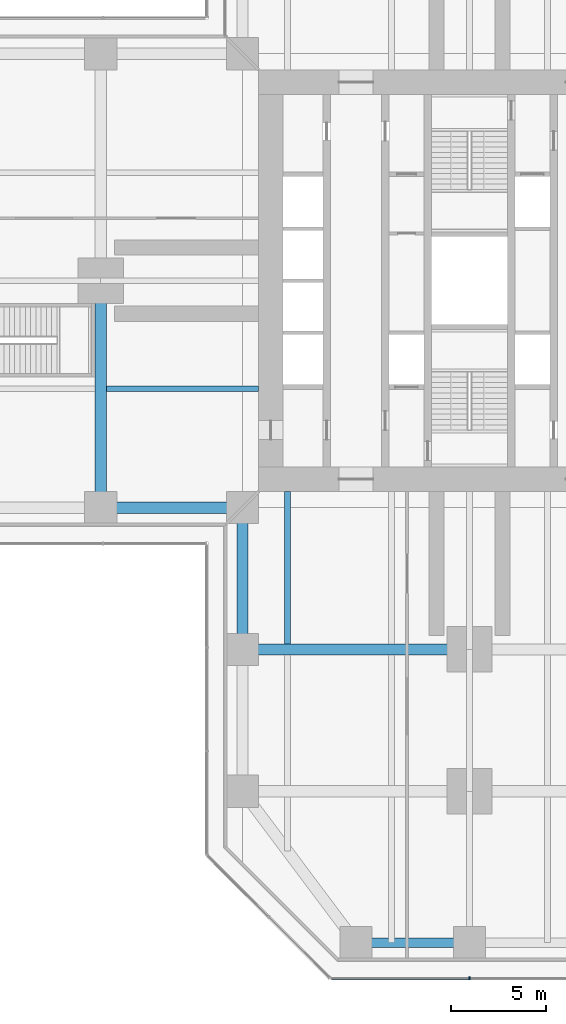
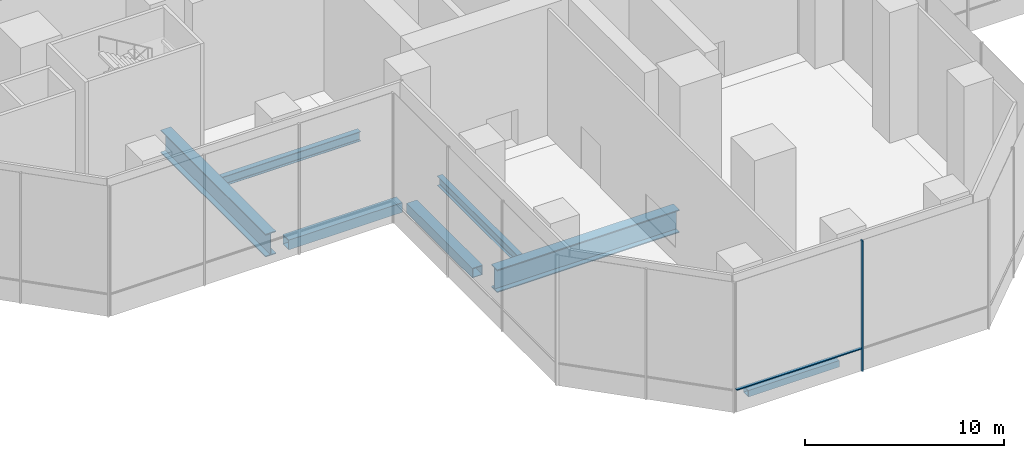
# One storey, part 4 of 25: 7 beams, 2 members, 1 element without a shape of its own.
"""IFC4 building model written with IfcOpenShell, lengths in metres."""

import ifcopenshell
import ifcopenshell.guid

model = None  # the IFC model being written
_history = None  # IfcOwnerHistory: only IFC2X3 demands one
_inside = {}  # id of a spatial element -> (the spatial element, [elements in it])
_under = {}  # id of a project, library or spatial element -> (it, [spatial elements below it])
_declared = {}  # id of a project -> (the project, [libraries it declares])
_typed = {}  # id of a type object -> (the type object, [elements of that type])
_made_of = {}  # id of a material, layer set ... -> (it, [elements and type objects made of it])


def new_model(schema):
    """Start an empty IFC model of exactly this schema.

    Asked for "IFC4X3", IfcOpenShell would pick the latest addendum, in which some entities
    have other attributes; the version numbers below select the first issue.
    IFC2X3 requires an IfcOwnerHistory on every rooted entity: one is made here for all.
    """
    global model, _history
    if schema == "IFC4X3":
        model = ifcopenshell.file(schema_version=(4, 3, 0, 0))
    else:
        model = ifcopenshell.file(schema=schema)
    _inside.clear()
    _under.clear()
    _declared.clear()
    _typed.clear()
    _made_of.clear()
    _history = None
    if model.schema == "IFC2X3":
        org = make("IfcOrganization", Name="unknown")
        user = make(
            "IfcPersonAndOrganization",
            ThePerson=make("IfcPerson", FamilyName="unknown"),
            TheOrganization=org,
        )
        app = make(
            "IfcApplication",
            ApplicationDeveloper=org,
            Version="unknown",
            ApplicationFullName="unknown",
            ApplicationIdentifier="unknown",
        )
        _history = make(
            "IfcOwnerHistory",
            OwningUser=user,
            OwningApplication=app,
            ChangeAction="ADDED",
            CreationDate=0,
        )
    return model


def make(cls, **values):
    """One entity of the class cls with the attributes given. An attribute that is None is left unset."""
    return model.create_entity(
        cls, **{name: value for name, value in values.items() if value is not None}
    )


def rooted(cls, **values):
    """An entity with a GlobalId (a new one), such as an element, a storey or a relation."""
    return make(cls, GlobalId=ifcopenshell.guid.new(), OwnerHistory=_history, **values)


def si_unit(unit_type, name, prefix=None):
    """IfcSIUnit, for example si_unit("LENGTHUNIT", "METRE", prefix="MILLI")."""
    return make("IfcSIUnit", UnitType=unit_type, Prefix=prefix, Name=name)


def assignment(units):
    """IfcUnitAssignment: the units of a project."""
    return None if units is None else make("IfcUnitAssignment", Units=units)


def point(xyz):
    """IfcCartesianPoint."""
    return None if xyz is None else make("IfcCartesianPoint", Coordinates=xyz)


def direction(xyz):
    """IfcDirection."""
    return None if xyz is None else make("IfcDirection", DirectionRatios=xyz)


def frame(location, z_axis=None, x_axis=None):
    """IfcAxis2Placement3D, a coordinate frame: its origin and axes. An axis left out is left unset."""
    return make(
        "IfcAxis2Placement3D",
        Location=point(location),
        Axis=direction(z_axis),
        RefDirection=direction(x_axis),
    )


def frame_2d(location, x_axis=None):
    """IfcAxis2Placement2D, a coordinate frame in the plane: its origin and x axis."""
    return make(
        "IfcAxis2Placement2D", Location=point(location), RefDirection=direction(x_axis)
    )


def origin():
    """The frame at (0, 0, 0) with its axes left unset."""
    return frame((0.0, 0.0, 0.0))


def origin_2d():
    """The frame at (0, 0) in the plane with its x axis left unset."""
    return frame_2d((0.0, 0.0))


def place(relative_to, where):
    """IfcLocalPlacement: puts the frame where relative to a parent placement (None: the world)."""
    return make(
        "IfcLocalPlacement", PlacementRelTo=relative_to, RelativePlacement=where
    )


def context(
    kind, dimensions, precision=None, world=None, true_north=None, identifier=None
):
    """IfcGeometricRepresentationContext, for example the 3D "Model" context."""
    return make(
        "IfcGeometricRepresentationContext",
        ContextIdentifier=identifier,
        ContextType=kind,
        CoordinateSpaceDimension=dimensions,
        Precision=precision,
        WorldCoordinateSystem=world,
        TrueNorth=true_north,
    )


def subcontext(parent, identifier, kind, view, scale=None):
    """IfcGeometricRepresentationSubContext, for example "Body" below "Model"."""
    return make(
        "IfcGeometricRepresentationSubContext",
        ContextIdentifier=identifier,
        ContextType=kind,
        ParentContext=parent,
        TargetScale=scale,
        TargetView=view,
    )


def project(units=None, contexts=None):
    """IfcProject with its units and contexts."""
    return rooted(
        "IfcProject",
        Name="project",
        RepresentationContexts=contexts,
        UnitsInContext=assignment(units),
    )


def spatial(cls, under=None, at=None, **own):
    """A site, building, storey or space (cls), placed at a placement, below another one or the project."""
    s = rooted(cls, ObjectPlacement=at, **own)
    if under is not None:
        _under.setdefault(under.id(), (under, []))[1].append(s)
    return s


def profile(cls, at=None, kind="AREA", **sizes):
    """A parametric profile (cls). Its sizes go by their IFC names, for example OverallWidth=200.0."""
    return make(cls, ProfileType=kind, Position=at, **sizes)


def rectangle(**sizes):
    """IfcRectangleProfileDef."""
    return profile("IfcRectangleProfileDef", **sizes)


def hollow_rectangle(**sizes):
    """IfcRectangleHollowProfileDef."""
    return profile("IfcRectangleHollowProfileDef", **sizes)


def i_section(**sizes):
    """IfcIShapeProfileDef."""
    return profile("IfcIShapeProfileDef", **sizes)


def extrude(swept, where, along, depth):
    """IfcExtrudedAreaSolid: the profile swept, set in the frame where, extruded along a direction by depth."""
    return make(
        "IfcExtrudedAreaSolid",
        SweptArea=swept,
        Position=where,
        ExtrudedDirection=direction(along),
        Depth=depth,
    )


def shape(context_of_items, identifier, shape_type, items):
    """IfcShapeRepresentation: the items that make up one representation, for example the "Body"."""
    return make(
        "IfcShapeRepresentation",
        ContextOfItems=context_of_items,
        RepresentationIdentifier=identifier,
        RepresentationType=shape_type,
        Items=items,
    )


def material(Name=None, Category=None):
    """IfcMaterial."""
    return make("IfcMaterial", Name=Name, Category=Category)


def material_profile(
    of_material, cross_section, Name=None, Category=None, Priority=None
):
    """IfcMaterialProfile: a cross section and its material."""
    return make(
        "IfcMaterialProfile",
        Name=Name,
        Material=of_material,
        Profile=cross_section,
        Priority=Priority,
        Category=Category,
    )


def profile_set(profiles, Name=None, composite=None):
    """IfcMaterialProfileSet."""
    return make(
        "IfcMaterialProfileSet",
        Name=Name,
        MaterialProfiles=profiles,
        CompositeProfile=composite,
    )


def made_of(thing, what):
    """Note that an element or type object is made of a material, layer set ...; save() writes the relation."""
    if what is not None:
        _made_of.setdefault(what.id(), (what, []))[1].append(thing)
    return thing


def type_object(cls, material=None, **own):
    """A type object (cls), such as IfcWallType, which elements share."""
    return made_of(rooted(cls, **own), material)


def element(
    cls,
    number,
    at=None,
    inside=None,
    cuts=None,
    type_object=None,
    material=None,
    context=None,
    identifier="Body",
    shape_type=None,
    held_by="IfcProductDefinitionShape",
    body=None,
    shapes=None,
    **own,
):
    """One element of the class cls, such as IfcWall. Its Tag is "e" and its number.

    at: its placement. inside: the storey or other place that contains it. cuts: it is an
    opening in that element (IfcRelVoidsElement). A single representation is given by context,
    identifier, shape_type and body (its items); several are given by shapes. held_by: the class
    of the entity that holds the representations. save() writes the other relations.
    """
    e = rooted(cls, Tag="e%d" % number, ObjectPlacement=at, **own)
    if body is not None:
        shapes = [shape(context, identifier, shape_type, body)]
    if shapes is not None:
        e.Representation = make(held_by, Representations=shapes)
    if inside is not None:
        _inside.setdefault(inside.id(), (inside, []))[1].append(e)
    if cuts is not None:
        rooted(
            "IfcRelVoidsElement", RelatingBuildingElement=cuts, RelatedOpeningElement=e
        )
    if type_object is not None:
        _typed.setdefault(type_object.id(), (type_object, []))[1].append(e)
    return made_of(e, material)


def aggregate(whole, parts):
    """IfcRelAggregates: a whole, such as a stair, and the parts it consists of."""
    return rooted("IfcRelAggregates", RelatingObject=whole, RelatedObjects=parts)


def save(model, path):
    """Write the relations noted so far, then the file.

    IfcRelAggregates (storeys below a building ...), IfcRelContainedInSpatialStructure (elements
    in a storey), IfcRelDefinesByType, IfcRelAssociatesMaterial and IfcRelDeclares: one each for
    every whole, place, type object, material and project.
    """
    for whole, parts in _under.values():
        aggregate(whole, parts)
    for where, things in _inside.values():
        rooted(
            "IfcRelContainedInSpatialStructure",
            RelatedElements=things,
            RelatingStructure=where,
        )
    for kind, things in _typed.values():
        rooted("IfcRelDefinesByType", RelatedObjects=things, RelatingType=kind)
    for what, things in _made_of.values():
        rooted("IfcRelAssociatesMaterial", RelatedObjects=things, RelatingMaterial=what)
    for by, libraries in _declared.values():
        rooted("IfcRelDeclares", RelatingContext=by, RelatedDefinitions=libraries)
    model.write(path)


model = new_model("IFC4")

# Units and contexts
model_context = context("Model", 3, precision=1e-05, world=origin(), true_north=direction((0.0, 1.0)))
body_context = subcontext(model_context, "Body", "Model", "MODEL_VIEW")
ifc_project = project(units=[si_unit("LENGTHUNIT", "METRE"), si_unit("AREAUNIT", "SQUARE_METRE"), si_unit("VOLUMEUNIT", "CUBIC_METRE"), si_unit("PLANEANGLEUNIT", "RADIAN"), si_unit("MASSUNIT", "GRAM", prefix="KILO")], contexts=[model_context])

# Site, building, storey
site_placement = place(None, origin())
site = spatial("IfcSite", under=ifc_project, at=site_placement, CompositionType="ELEMENT")
building_placement = place(site_placement, origin())
building = spatial("IfcBuilding", under=site, at=building_placement, Name="Mizan Broadcast Tower", CompositionType="ELEMENT")
storey_placement = place(building_placement, frame((0.0, 0.0, 7.0)))
storey = spatial("IfcBuildingStorey", under=building, at=storey_placement, Name="L01", CompositionType="ELEMENT", Elevation=7.0)

# Beams
ifc_material_1 = material(Name="Steel S355", Category="steel")
ifc_material_profile_1 = material_profile(ifc_material_1, hollow_rectangle(XDim=0.5, YDim=0.39990234375, WallThickness=0.02490234375, at=origin_2d()), Name="BOX 400x500x25")
ifc_profile_set_1 = profile_set([ifc_material_profile_1], Name="Steel S355")
beam_type_1 = type_object("IfcBeamType", Name="EDGE BEAM BOX 400x500x25", PredefinedType="SPANDREL", material=ifc_profile_set_1)
beam_placement = place(storey_placement, frame((-5.639892578125, -35.0, -0.449951171875), z_axis=(1.0, 0.0, 0.0), x_axis=(0.0, 1.0, 0.0)))
element("IfcBeam", 1, at=beam_placement, inside=storey, type_object=beam_type_1, Name="Edge beam BOX 400x500x25 L01 south arm", PredefinedType="SPANDREL", context=body_context, shape_type="SweptSolid", body=[
    extrude(hollow_rectangle(XDim=0.5, YDim=0.39990234375, WallThickness=0.02490234375, at=origin_2d()), origin(), (0.0, 0.0, 1.0), 5.27978515625),
])
ifc_material_2 = material(Name="Steel S355", Category="steel")
ifc_material_profile_2 = material_profile(ifc_material_2, hollow_rectangle(XDim=0.60009765625, YDim=0.60009765625, WallThickness=0.0400390625, at=origin_2d()), Name="BOX 600x600x40")
ifc_profile_set_2 = profile_set([ifc_material_profile_2], Name="Steel S355")
beam_type_2 = type_object("IfcBeamType", Name="EDGE BEAM BOX 600x600x40", PredefinedType="SPANDREL", material=ifc_profile_set_2)
for number, where, z_axis, x_axis, name in (
    (2, (-12.449951171875, -12.0, -0.550048828125), (-1.0, 0.0, 0.0), (0.0, -1.0, 0.0), "Edge beam BOX 600x600x40 L01 west arm"),
    (3, (-12.0, -12.449951171875, -0.550048828125), (0.0, -1.0, 0.0), (1.0, 0.0, 0.0), "Edge beam BOX 600x600x40 L01 south arm"),
):
    element("IfcBeam", number, at=place(storey_placement, frame(where, z_axis=z_axis, x_axis=x_axis)), inside=storey, type_object=beam_type_2, Name=name, PredefinedType="SPANDREL", context=body_context, shape_type="SweptSolid", body=[
        extrude(hollow_rectangle(XDim=0.60009765625, YDim=0.60009765625, WallThickness=0.0400390625, at=origin_2d()), origin(), (0.0, 0.0, 1.0), 6.60009765625),
    ])
ifc_material_3 = material(Name="Steel S460", Category="steel")
ifc_material_profile_3 = material_profile(ifc_material_3, i_section(OverallWidth=0.60009765625, OverallDepth=1.39990234375, WebThickness=0.02490234375, FlangeThickness=0.06005859375, at=origin_2d()), Name="WPG 1400x600")
ifc_profile_set_3 = profile_set([ifc_material_profile_3], Name="Steel S460")
beam_type_3 = type_object("IfcBeamType", Name="GIRDER WPG 1400x600", PredefinedType="BEAM", material=ifc_profile_set_3)
for number, where, z_axis, x_axis, name in (
    (4, (-19.5, -0.719970703125, -0.949951171875), (0.0, -1.0, 0.0), (1.0, 0.0, 0.0), "Girder WPG 1400x600 L01 west arm"),
    (5, (-11.280029296875, -19.5, -0.949951171875), (1.0, 0.0, 0.0), (0.0, 1.0, 0.0), "Girder WPG 1400x600 L01 south arm"),
):
    element("IfcBeam", number, at=place(storey_placement, frame(where, z_axis=z_axis, x_axis=x_axis)), inside=storey, type_object=beam_type_3, Name=name, PredefinedType="BEAM", context=body_context, shape_type="SweptSolid", body=[
        extrude(i_section(OverallWidth=0.60009765625, OverallDepth=1.39990234375, WebThickness=0.02490234375, FlangeThickness=0.06005859375, at=origin_2d()), origin(), (0.0, 0.0, 1.0), 10.56005859375),
    ])

# Curtain wall, members
ifc_material_4 = material(Name="Aluminium framed glazing", Category="aluminium")
curtain_wall_type = type_object("IfcCurtainWallType", Name="OUTER SKIN", PredefinedType="USERDEFINED", material=ifc_material_4)
curtain_wall_placement = place(storey_placement, origin())
curtain_wall = element("IfcCurtainWall", 6, at=curtain_wall_placement, inside=storey, type_object=curtain_wall_type, Name="Outer skin L01 S end", ObjectType="OUTER SKIN", PredefinedType="USERDEFINED")
ifc_material_5 = material(Name="Aluminium, pale anodised", Category="aluminium")
ifc_material_profile_4 = material_profile(ifc_material_5, rectangle(XDim=0.159912109375, YDim=0.080078125, at=origin_2d()), Name="MULLION 160x80")
ifc_profile_set_4 = profile_set([ifc_material_profile_4], Name="Aluminium, pale anodised")
member_type_1 = type_object("IfcMemberType", Name="OUTER SKIN MULLION 80x160", PredefinedType="MULLION", material=ifc_profile_set_4)
member_1_placement = place(storey_placement, frame((0.0, -36.89990234375, 0.0), z_axis=(0.0, 0.0, 1.0), x_axis=(0.0, 1.0, 0.0)))
member_1 = element("IfcMember", 7, at=member_1_placement, type_object=member_type_1, Name="Outer skin L01 S end mullion 2", PredefinedType="MULLION", context=body_context, shape_type="SweptSolid", body=[
    extrude(rectangle(XDim=0.159912109375, YDim=0.080078125, at=origin_2d()), origin(), (0.0, 0.0, 1.0), 8.0),
])
ifc_material_6 = material(Name="Aluminium, pale anodised", Category="aluminium")
ifc_material_profile_5 = material_profile(ifc_material_6, rectangle(XDim=0.159912109375, YDim=0.06005859375, at=origin_2d()), Name="TRANSOM 160x60")
ifc_profile_set_5 = profile_set([ifc_material_profile_5], Name="Aluminium, pale anodised")
member_type_2 = type_object("IfcMemberType", Name="OUTER SKIN TRANSOM 60x160", PredefinedType="USERDEFINED", material=ifc_profile_set_5)
member_2_placement = place(storey_placement, frame((-7.292724609375, -36.89990234375, 1.39990234375), z_axis=(1.0, 0.0, 0.0), x_axis=(0.0, 1.0, 0.0)))
member_2 = element("IfcMember", 8, at=member_2_placement, type_object=member_type_2, Name="Outer skin L01 S end transom 1.1", ObjectType="TRANSOM", PredefinedType="USERDEFINED", context=body_context, shape_type="SweptSolid", body=[
    extrude(rectangle(XDim=0.159912109375, YDim=0.06005859375, at=origin_2d()), origin(), (0.0, 0.0, 1.0), 7.252685546875),
])
aggregate(curtain_wall, [member_1, member_2])

# Beams
ifc_material_7 = material(Name="Steel S355", Category="steel")
ifc_material_profile_6 = material_profile(ifc_material_7, i_section(OverallWidth=0.300048828125, OverallDepth=0.590087890625, WebThickness=0.012939453125, FlangeThickness=0.02490234375, FilletRadius=0.027099609375, at=origin_2d()), Name="HEA 600")
ifc_profile_set_6 = profile_set([ifc_material_profile_6], Name="Steel S355")
beam_type_4 = type_object("IfcBeamType", Name="SECONDARY BEAM HEA 600", PredefinedType="JOIST", material=ifc_profile_set_6)
for number, where, z_axis, x_axis, name in (
    (9, (-11.14990234375, -5.71435546875, -0.544921875), (-1.0, 0.0, 0.0), (0.0, -1.0, 0.0), "Secondary beam HEA 600 L01 west arm"),
    (10, (-9.625, -11.14990234375, -0.544921875), (0.0, -1.0, 0.0), (1.0, 0.0, 0.0), "Secondary beam HEA 600 L01 south arm"),
):
    element("IfcBeam", number, at=place(storey_placement, frame(where, z_axis=z_axis, x_axis=x_axis)), inside=storey, type_object=beam_type_4, Name=name, PredefinedType="JOIST", context=body_context, shape_type="SweptSolid", body=[
        extrude(i_section(OverallWidth=0.300048828125, OverallDepth=0.590087890625, WebThickness=0.012939453125, FlangeThickness=0.02490234375, FilletRadius=0.027099609375, at=origin_2d()), origin(), (0.0, 0.0, 1.0), 8.050048828125),
    ])

save(model, "model.ifc")
